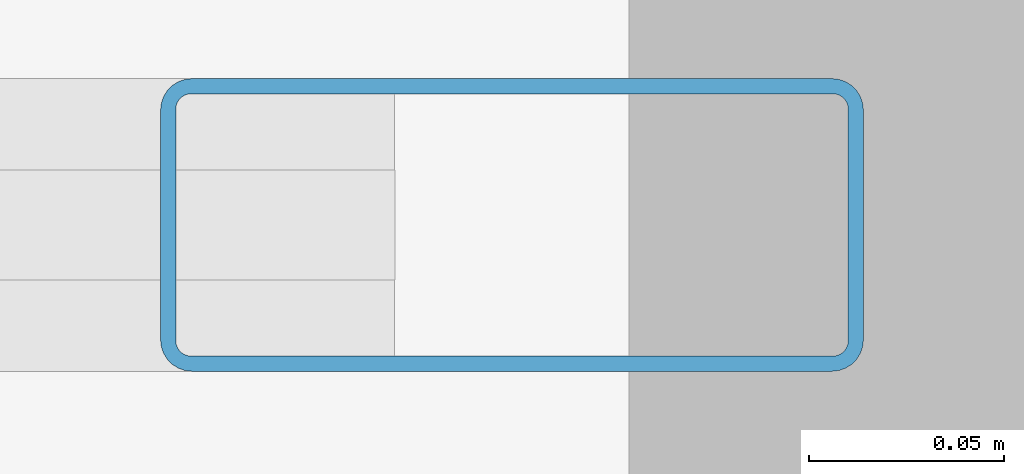
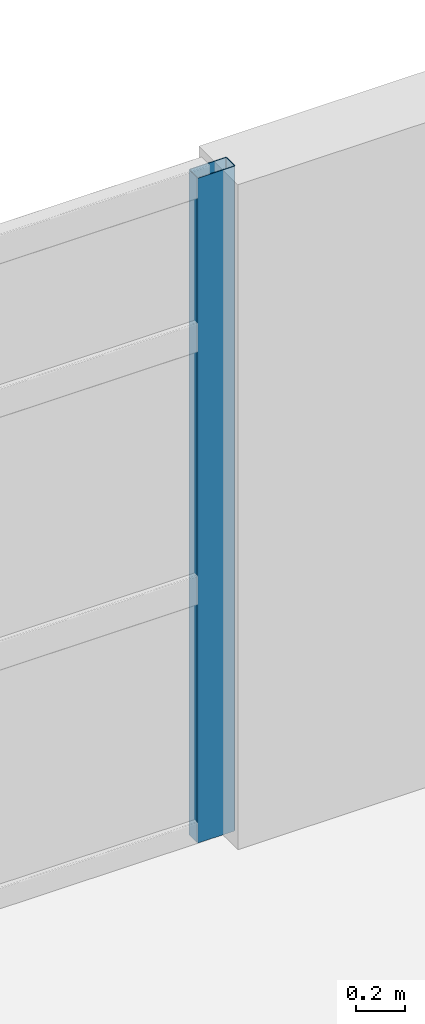
# One storey, part 10 of 23: 1 member, 1 element without a shape of its own.
"""IFC4 building model written with IfcOpenShell, lengths in metres."""

from ifc_helpers import new_model, si_unit, direction, frame, origin, origin_2d, place, context, subcontext, project, spatial, hollow_rectangle, extrude, material, layer, layer_set, material_profile, profile_set, type_object, element, aggregate, save


model = new_model("IFC4")

# Units and contexts
model_context = context("Model", 3, precision=1e-05, world=origin(), true_north=direction((0.0, 1.0)))
body_context = subcontext(model_context, "Body", "Model", "MODEL_VIEW")
ifc_project = project(units=[si_unit("LENGTHUNIT", "METRE"), si_unit("AREAUNIT", "SQUARE_METRE"), si_unit("VOLUMEUNIT", "CUBIC_METRE"), si_unit("PLANEANGLEUNIT", "RADIAN"), si_unit("MASSUNIT", "GRAM", prefix="KILO")], contexts=[model_context])

# Site, building, storey
site_placement = place(None, origin())
site = spatial("IfcSite", under=ifc_project, at=site_placement, CompositionType="ELEMENT")
building_placement = place(site_placement, origin())
building = spatial("IfcBuilding", under=site, at=building_placement, Name="Qingluan Cross Belvedere", CompositionType="ELEMENT")
storey_placement = place(building_placement, frame((0.0, 0.0, 10.199951171875)))
storey = spatial("IfcBuildingStorey", under=building, at=storey_placement, Name="L03", CompositionType="ELEMENT", Elevation=10.199951171875)

# Curtain wall, member
ifc_material_1 = material(Name="Thermally broken aluminium and Low-E glass", Category="aluminium")
ifc_layer = layer(ifc_material_1, 0.219970703125, Name="UnitisedCW_BallroomFoyer")
ifc_layer_set = layer_set([ifc_layer], Name="Thermally broken aluminium and Low-E glass")
curtain_wall_type = type_object("IfcCurtainWallType", Name="UnitisedCW_BallroomFoyer", PredefinedType="USERDEFINED", material=ifc_layer_set)
curtain_wall_placement = place(storey_placement, origin())
curtain_wall = element("IfcCurtainWall", 1, at=curtain_wall_placement, inside=storey, type_object=curtain_wall_type, Name="UnitisedCW_BallroomFoyer run env:cw:L03:N", ObjectType="UNITISED CURTAIN WALL", PredefinedType="USERDEFINED")
ifc_material_2 = material(Name="Aluminium alloy 6063-T6", Category="aluminium")
ifc_material_profile = material_profile(ifc_material_2, hollow_rectangle(XDim=0.074951171875, YDim=0.179931640625, WallThickness=0.00390625, InnerFilletRadius=0.00390625, OuterFilletRadius=0.008056640625, at=origin_2d()), Name="CWM180x75x4")
ifc_profile_set = profile_set([ifc_material_profile], Name="Aluminium alloy 6063-T6")
member_type = type_object("IfcMemberType", Name="CWMullion_180", PredefinedType="MULLION", material=ifc_profile_set)
member_placement = place(storey_placement, frame((5.969970703125, 37.639892578125, 0.0), z_axis=(0.0, 0.0, 1.0), x_axis=(0.0, 1.0, 0.0)))
member = element("IfcMember", 2, at=member_placement, type_object=member_type, Name="CW-P2 mullion 7", PredefinedType="MULLION", context=body_context, shape_type="SweptSolid", body=[
    extrude(hollow_rectangle(XDim=0.074951171875, YDim=0.179931640625, WallThickness=0.00390625, InnerFilletRadius=0.00390625, OuterFilletRadius=0.008056640625, at=origin_2d()), origin(), (0.0, 0.0, 1.0), 3.330078125),
])
aggregate(curtain_wall, [member])

save(model, "model.ifc")
